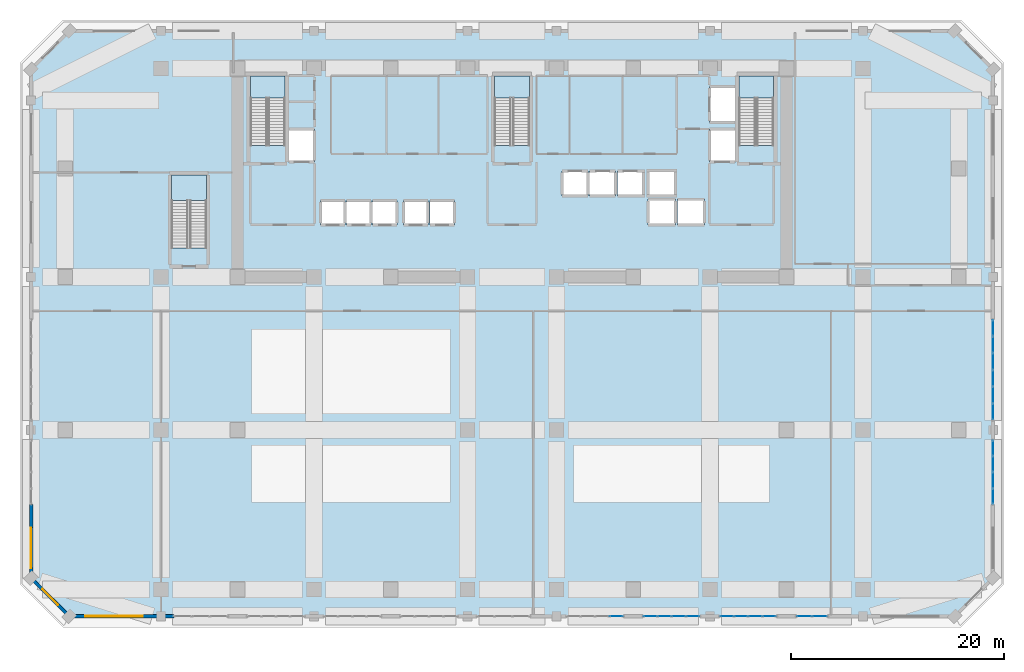
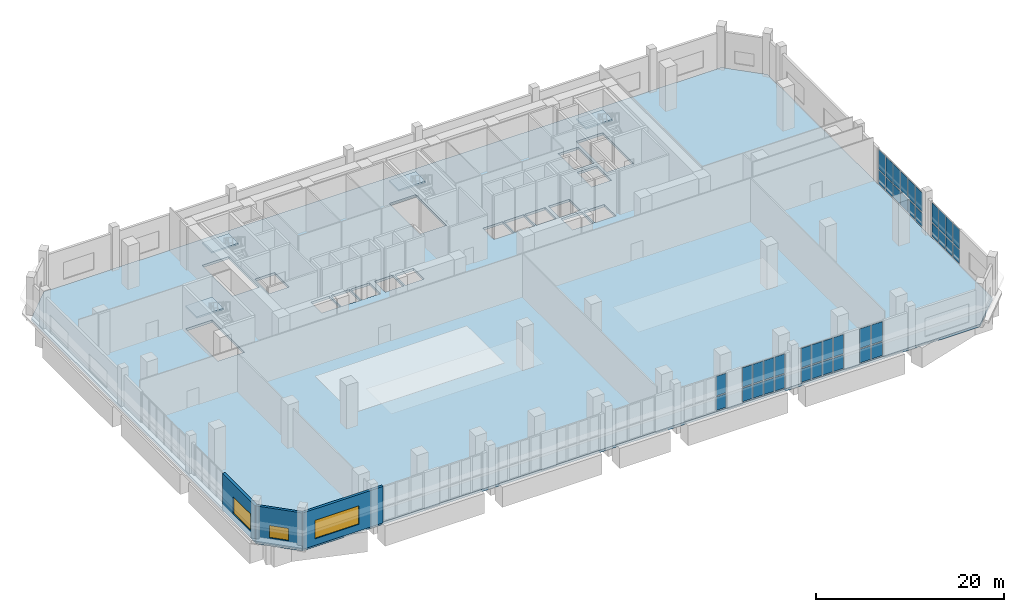
# One storey, part 16 of 25: 42 plates, 5 slabs, 3 walls, 3 windows, 3 openings, 10 elements without a shape of their own.
"""IFC4 building model written with IfcOpenShell, lengths in metres."""

from ifc_helpers import new_model, si_unit, direction, frame, frame_2d, origin, origin_2d, place, context, subcontext, project, spatial, polyline, rectangle, outline, extrude, material, layer, layer_set, type_object, element, fill, aggregate, save


model = new_model("IFC4")

# Units and contexts
model_context = context("Model", 3, precision=1e-05, world=origin(), true_north=direction((0.0, 1.0)))
body_context = subcontext(model_context, "Body", "Model", "MODEL_VIEW")
ifc_project = project(units=[si_unit("LENGTHUNIT", "METRE"), si_unit("AREAUNIT", "SQUARE_METRE"), si_unit("VOLUMEUNIT", "CUBIC_METRE"), si_unit("PLANEANGLEUNIT", "RADIAN"), si_unit("MASSUNIT", "GRAM", prefix="KILO")], contexts=[model_context])

# Site, building, storey
site_placement = place(None, origin())
site = spatial("IfcSite", under=ifc_project, at=site_placement, CompositionType="ELEMENT")
building_placement = place(site_placement, origin())
building = spatial("IfcBuilding", under=site, at=building_placement, Name="Kaelvorn Grand Hotel", CompositionType="ELEMENT")
storey_placement = place(building_placement, frame((0.0, 0.0, 8.0)))
storey = spatial("IfcBuildingStorey", under=building, at=storey_placement, Name="L01", CompositionType="ELEMENT", Elevation=8.0)

# Curtain wall, plates
ifc_material_1 = material(Name="Anodised Aluminium", Category="aluminium")
ifc_layer_1 = layer(ifc_material_1, 0.239990234375)
ifc_layer_set_1 = layer_set([ifc_layer_1], Name="Anodised Aluminium")
curtain_wall_type = type_object("IfcCurtainWallType", Name="CW-SYS1", PredefinedType="NOTDEFINED", material=ifc_layer_set_1)
curtain_wall_1_placement = place(storey_placement, origin())
curtain_wall_1 = element("IfcCurtainWall", 1, at=curtain_wall_1_placement, inside=storey, type_object=curtain_wall_type, Name="L01 Unitised Curtain Wall CW1 (CW-L01-S-06)", PredefinedType="NOTDEFINED")
ifc_material_2 = material(Name="Laminated Low-E Glass", Category="glass")
ifc_layer_2 = layer(ifc_material_2, 0.035888671875)
ifc_layer_set_2 = layer_set([ifc_layer_2], Name="Laminated Low-E Glass")
plate_type = type_object("IfcPlateType", Name="CW-SYS1-PAN", PredefinedType="CURTAIN_PANEL", material=ifc_layer_set_2)
plate_1_placement = place(storey_placement, frame((51.7900390625, -2.5, 0.1650390625), z_axis=(0.0, 0.0, 1.0), x_axis=(1.0, 0.0, 0.0)))
plate_1 = element("IfcPlate", 2, at=plate_1_placement, type_object=plate_type, Name="CW1 panel 4.1", PredefinedType="CURTAIN_PANEL", context=body_context, shape_type="SweptSolid", body=[
    extrude(rectangle(XDim=1.219970703125, YDim=0.035888671875, at=origin_2d()), origin(), (0.0, 0.0, 1.0), 1.739013671875),
])
plate_2_placement = place(storey_placement, frame((51.7900390625, -2.5, 2.0693359375), z_axis=(0.0, 0.0, 1.0), x_axis=(1.0, 0.0, 0.0)))
plate_2 = element("IfcPlate", 3, at=plate_2_placement, type_object=plate_type, Name="CW1 panel 4.2", PredefinedType="CURTAIN_PANEL", context=body_context, shape_type="SweptSolid", body=[
    extrude(rectangle(XDim=1.219970703125, YDim=0.035888671875, at=origin_2d()), origin(), (0.0, 0.0, 1.0), 2.495849609375),
])
aggregate(curtain_wall_1, [plate_1, plate_2])

curtain_wall_2_placement = place(storey_placement, origin())
curtain_wall_2 = element("IfcCurtainWall", 4, at=curtain_wall_2_placement, inside=storey, type_object=curtain_wall_type, Name="L01 Unitised Curtain Wall CW1 (CW-L01-S-07)", PredefinedType="NOTDEFINED")
plate_3_placement = place(storey_placement, frame((55.010009765625, -2.5, 0.1650390625), z_axis=(0.0, 0.0, 1.0), x_axis=(1.0, 0.0, 0.0)))
plate_3 = element("IfcPlate", 5, at=plate_3_placement, type_object=plate_type, Name="CW1 panel 1.1", PredefinedType="CURTAIN_PANEL", context=body_context, shape_type="SweptSolid", body=[
    extrude(rectangle(XDim=1.219970703125, YDim=0.035888671875, at=origin_2d()), origin(), (0.0, 0.0, 1.0), 1.739013671875),
])
plate_4_placement = place(storey_placement, frame((55.010009765625, -2.5, 2.0693359375), z_axis=(0.0, 0.0, 1.0), x_axis=(1.0, 0.0, 0.0)))
plate_4 = element("IfcPlate", 6, at=plate_4_placement, type_object=plate_type, Name="CW1 panel 1.2", PredefinedType="CURTAIN_PANEL", context=body_context, shape_type="SweptSolid", body=[
    extrude(rectangle(XDim=1.219970703125, YDim=0.035888671875, at=origin_2d()), origin(), (0.0, 0.0, 1.0), 2.495849609375),
])
plate_5_placement = place(storey_placement, frame((56.330078125, -2.5, 0.1650390625), z_axis=(0.0, 0.0, 1.0), x_axis=(1.0, 0.0, 0.0)))
plate_5 = element("IfcPlate", 7, at=plate_5_placement, type_object=plate_type, Name="CW1 panel 2.1", PredefinedType="CURTAIN_PANEL", context=body_context, shape_type="SweptSolid", body=[
    extrude(rectangle(XDim=1.260009765625, YDim=0.035888671875, at=origin_2d()), origin(), (0.0, 0.0, 1.0), 1.739013671875),
])
plate_6_placement = place(storey_placement, frame((56.330078125, -2.5, 2.0693359375), z_axis=(0.0, 0.0, 1.0), x_axis=(1.0, 0.0, 0.0)))
plate_6 = element("IfcPlate", 8, at=plate_6_placement, type_object=plate_type, Name="CW1 panel 2.2", PredefinedType="CURTAIN_PANEL", context=body_context, shape_type="SweptSolid", body=[
    extrude(rectangle(XDim=1.260009765625, YDim=0.035888671875, at=origin_2d()), origin(), (0.0, 0.0, 1.0), 2.495849609375),
])
plate_7_placement = place(storey_placement, frame((57.669921875, -2.5, 0.1650390625), z_axis=(0.0, 0.0, 1.0), x_axis=(1.0, 0.0, 0.0)))
plate_7 = element("IfcPlate", 9, at=plate_7_placement, type_object=plate_type, Name="CW1 panel 3.1", PredefinedType="CURTAIN_PANEL", context=body_context, shape_type="SweptSolid", body=[
    extrude(rectangle(XDim=1.260009765625, YDim=0.035888671875, at=origin_2d()), origin(), (0.0, 0.0, 1.0), 1.739013671875),
])
plate_8_placement = place(storey_placement, frame((57.669921875, -2.5, 2.0693359375), z_axis=(0.0, 0.0, 1.0), x_axis=(1.0, 0.0, 0.0)))
plate_8 = element("IfcPlate", 10, at=plate_8_placement, type_object=plate_type, Name="CW1 panel 3.2", PredefinedType="CURTAIN_PANEL", context=body_context, shape_type="SweptSolid", body=[
    extrude(rectangle(XDim=1.260009765625, YDim=0.035888671875, at=origin_2d()), origin(), (0.0, 0.0, 1.0), 2.495849609375),
])
plate_9_placement = place(storey_placement, frame((58.989990234375, -2.5, 0.1650390625), z_axis=(0.0, 0.0, 1.0), x_axis=(1.0, 0.0, 0.0)))
plate_9 = element("IfcPlate", 11, at=plate_9_placement, type_object=plate_type, Name="CW1 panel 4.1", PredefinedType="CURTAIN_PANEL", context=body_context, shape_type="SweptSolid", body=[
    extrude(rectangle(XDim=1.219970703125, YDim=0.035888671875, at=origin_2d()), origin(), (0.0, 0.0, 1.0), 1.739013671875),
])
plate_10_placement = place(storey_placement, frame((58.989990234375, -2.5, 2.0693359375), z_axis=(0.0, 0.0, 1.0), x_axis=(1.0, 0.0, 0.0)))
plate_10 = element("IfcPlate", 12, at=plate_10_placement, type_object=plate_type, Name="CW1 panel 4.2", PredefinedType="CURTAIN_PANEL", context=body_context, shape_type="SweptSolid", body=[
    extrude(rectangle(XDim=1.219970703125, YDim=0.035888671875, at=origin_2d()), origin(), (0.0, 0.0, 1.0), 2.495849609375),
])
aggregate(curtain_wall_2, [plate_3, plate_4, plate_5, plate_6, plate_7, plate_8, plate_9, plate_10])

curtain_wall_3_placement = place(storey_placement, origin())
curtain_wall_3 = element("IfcCurtainWall", 13, at=curtain_wall_3_placement, inside=storey, type_object=curtain_wall_type, Name="L01 Unitised Curtain Wall CW1 (CW-L01-S-08)", PredefinedType="NOTDEFINED")
plate_11_placement = place(storey_placement, frame((62.2099609375, -2.5, 0.1650390625), z_axis=(0.0, 0.0, 1.0), x_axis=(1.0, 0.0, 0.0)))
plate_11 = element("IfcPlate", 14, at=plate_11_placement, type_object=plate_type, Name="CW1 panel 1.1", PredefinedType="CURTAIN_PANEL", context=body_context, shape_type="SweptSolid", body=[
    extrude(rectangle(XDim=1.219970703125, YDim=0.035888671875, at=origin_2d()), origin(), (0.0, 0.0, 1.0), 1.739013671875),
])
plate_12_placement = place(storey_placement, frame((62.2099609375, -2.5, 2.0693359375), z_axis=(0.0, 0.0, 1.0), x_axis=(1.0, 0.0, 0.0)))
plate_12 = element("IfcPlate", 15, at=plate_12_placement, type_object=plate_type, Name="CW1 panel 1.2", PredefinedType="CURTAIN_PANEL", context=body_context, shape_type="SweptSolid", body=[
    extrude(rectangle(XDim=1.219970703125, YDim=0.035888671875, at=origin_2d()), origin(), (0.0, 0.0, 1.0), 2.495849609375),
])
plate_13_placement = place(storey_placement, frame((63.530029296875, -2.5, 0.1650390625), z_axis=(0.0, 0.0, 1.0), x_axis=(1.0, 0.0, 0.0)))
plate_13 = element("IfcPlate", 16, at=plate_13_placement, type_object=plate_type, Name="CW1 panel 2.1", PredefinedType="CURTAIN_PANEL", context=body_context, shape_type="SweptSolid", body=[
    extrude(rectangle(XDim=1.260009765625, YDim=0.035888671875, at=origin_2d()), origin(), (0.0, 0.0, 1.0), 1.739013671875),
])
plate_14_placement = place(storey_placement, frame((63.530029296875, -2.5, 2.0693359375), z_axis=(0.0, 0.0, 1.0), x_axis=(1.0, 0.0, 0.0)))
plate_14 = element("IfcPlate", 17, at=plate_14_placement, type_object=plate_type, Name="CW1 panel 2.2", PredefinedType="CURTAIN_PANEL", context=body_context, shape_type="SweptSolid", body=[
    extrude(rectangle(XDim=1.260009765625, YDim=0.035888671875, at=origin_2d()), origin(), (0.0, 0.0, 1.0), 2.495849609375),
])
plate_15_placement = place(storey_placement, frame((64.8701171875, -2.5, 0.1650390625), z_axis=(0.0, 0.0, 1.0), x_axis=(1.0, 0.0, 0.0)))
plate_15 = element("IfcPlate", 18, at=plate_15_placement, type_object=plate_type, Name="CW1 panel 3.1", PredefinedType="CURTAIN_PANEL", context=body_context, shape_type="SweptSolid", body=[
    extrude(rectangle(XDim=1.260009765625, YDim=0.035888671875, at=origin_2d()), origin(), (0.0, 0.0, 1.0), 1.739013671875),
])
plate_16_placement = place(storey_placement, frame((64.8701171875, -2.5, 2.0693359375), z_axis=(0.0, 0.0, 1.0), x_axis=(1.0, 0.0, 0.0)))
plate_16 = element("IfcPlate", 19, at=plate_16_placement, type_object=plate_type, Name="CW1 panel 3.2", PredefinedType="CURTAIN_PANEL", context=body_context, shape_type="SweptSolid", body=[
    extrude(rectangle(XDim=1.260009765625, YDim=0.035888671875, at=origin_2d()), origin(), (0.0, 0.0, 1.0), 2.495849609375),
])
plate_17_placement = place(storey_placement, frame((66.18994140625, -2.5, 0.1650390625), z_axis=(0.0, 0.0, 1.0), x_axis=(1.0, 0.0, 0.0)))
plate_17 = element("IfcPlate", 20, at=plate_17_placement, type_object=plate_type, Name="CW1 panel 4.1", PredefinedType="CURTAIN_PANEL", context=body_context, shape_type="SweptSolid", body=[
    extrude(rectangle(XDim=1.219970703125, YDim=0.035888671875, at=origin_2d()), origin(), (0.0, 0.0, 1.0), 1.739013671875),
])
plate_18_placement = place(storey_placement, frame((66.18994140625, -2.5, 2.0693359375), z_axis=(0.0, 0.0, 1.0), x_axis=(1.0, 0.0, 0.0)))
plate_18 = element("IfcPlate", 21, at=plate_18_placement, type_object=plate_type, Name="CW1 panel 4.2", PredefinedType="CURTAIN_PANEL", context=body_context, shape_type="SweptSolid", body=[
    extrude(rectangle(XDim=1.219970703125, YDim=0.035888671875, at=origin_2d()), origin(), (0.0, 0.0, 1.0), 2.495849609375),
])
aggregate(curtain_wall_3, [plate_11, plate_12, plate_13, plate_14, plate_15, plate_16, plate_17, plate_18])

curtain_wall_4_placement = place(storey_placement, origin())
curtain_wall_4 = element("IfcCurtainWall", 22, at=curtain_wall_4_placement, inside=storey, type_object=curtain_wall_type, Name="L01 Unitised Curtain Wall CW1 (CW-L01-S-09)", PredefinedType="NOTDEFINED")
plate_19_placement = place(storey_placement, frame((69.47998046875, -2.5, 0.1650390625), z_axis=(0.0, 0.0, 1.0), x_axis=(1.0, 0.0, 0.0)))
plate_19 = element("IfcPlate", 23, at=plate_19_placement, type_object=plate_type, Name="CW1 panel 1.1", PredefinedType="CURTAIN_PANEL", context=body_context, shape_type="SweptSolid", body=[
    extrude(rectangle(XDim=1.360107421875, YDim=0.035888671875, at=origin_2d()), origin(), (0.0, 0.0, 1.0), 1.739013671875),
])
plate_20_placement = place(storey_placement, frame((69.47998046875, -2.5, 2.0693359375), z_axis=(0.0, 0.0, 1.0), x_axis=(1.0, 0.0, 0.0)))
plate_20 = element("IfcPlate", 24, at=plate_20_placement, type_object=plate_type, Name="CW1 panel 1.2", PredefinedType="CURTAIN_PANEL", context=body_context, shape_type="SweptSolid", body=[
    extrude(rectangle(XDim=1.360107421875, YDim=0.035888671875, at=origin_2d()), origin(), (0.0, 0.0, 1.0), 2.495849609375),
])
plate_21_placement = place(storey_placement, frame((70.919921875, -2.5, 0.1650390625), z_axis=(0.0, 0.0, 1.0), x_axis=(1.0, 0.0, 0.0)))
plate_21 = element("IfcPlate", 25, at=plate_21_placement, type_object=plate_type, Name="CW1 panel 2.1", PredefinedType="CURTAIN_PANEL", context=body_context, shape_type="SweptSolid", body=[
    extrude(rectangle(XDim=1.360107421875, YDim=0.035888671875, at=origin_2d()), origin(), (0.0, 0.0, 1.0), 1.739013671875),
])
plate_22_placement = place(storey_placement, frame((70.919921875, -2.5, 2.0693359375), z_axis=(0.0, 0.0, 1.0), x_axis=(1.0, 0.0, 0.0)))
plate_22 = element("IfcPlate", 26, at=plate_22_placement, type_object=plate_type, Name="CW1 panel 2.2", PredefinedType="CURTAIN_PANEL", context=body_context, shape_type="SweptSolid", body=[
    extrude(rectangle(XDim=1.360107421875, YDim=0.035888671875, at=origin_2d()), origin(), (0.0, 0.0, 1.0), 2.495849609375),
])
aggregate(curtain_wall_4, [plate_19, plate_20, plate_21, plate_22])

curtain_wall_5_placement = place(storey_placement, origin())
curtain_wall_5 = element("IfcCurtainWall", 27, at=curtain_wall_5_placement, inside=storey, type_object=curtain_wall_type, Name="L01 Unitised Curtain Wall CW1 (CW-L01-E-01)", PredefinedType="NOTDEFINED")
plate_23_placement = place(storey_placement, frame((87.199951171875, 8.780029296875, 0.1650390625), z_axis=(0.0, 0.0, 1.0), x_axis=(0.0, 1.0, 0.0)))
plate_23 = element("IfcPlate", 28, at=plate_23_placement, type_object=plate_type, Name="CW1 panel 1.1", PredefinedType="CURTAIN_PANEL", context=body_context, shape_type="SweptSolid", body=[
    extrude(rectangle(XDim=1.39990234375, YDim=0.035888671875, at=origin_2d()), origin(), (0.0, 0.0, 1.0), 1.739013671875),
])
plate_24_placement = place(storey_placement, frame((87.199951171875, 8.780029296875, 2.0693359375), z_axis=(0.0, 0.0, 1.0), x_axis=(0.0, 1.0, 0.0)))
plate_24 = element("IfcPlate", 29, at=plate_24_placement, type_object=plate_type, Name="CW1 panel 1.2", PredefinedType="CURTAIN_PANEL", context=body_context, shape_type="SweptSolid", body=[
    extrude(rectangle(XDim=1.39990234375, YDim=0.035888671875, at=origin_2d()), origin(), (0.0, 0.0, 1.0), 2.495849609375),
])
plate_25_placement = place(storey_placement, frame((87.199951171875, 10.280029296875, 0.1650390625), z_axis=(0.0, 0.0, 1.0), x_axis=(0.0, 1.0, 0.0)))
plate_25 = element("IfcPlate", 30, at=plate_25_placement, type_object=plate_type, Name="CW1 panel 2.1", PredefinedType="CURTAIN_PANEL", context=body_context, shape_type="SweptSolid", body=[
    extrude(rectangle(XDim=1.43994140625, YDim=0.035888671875, at=origin_2d()), origin(), (0.0, 0.0, 1.0), 1.739013671875),
])
plate_26_placement = place(storey_placement, frame((87.199951171875, 10.280029296875, 2.0693359375), z_axis=(0.0, 0.0, 1.0), x_axis=(0.0, 1.0, 0.0)))
plate_26 = element("IfcPlate", 31, at=plate_26_placement, type_object=plate_type, Name="CW1 panel 2.2", PredefinedType="CURTAIN_PANEL", context=body_context, shape_type="SweptSolid", body=[
    extrude(rectangle(XDim=1.43994140625, YDim=0.035888671875, at=origin_2d()), origin(), (0.0, 0.0, 1.0), 2.495849609375),
])
plate_27_placement = place(storey_placement, frame((87.199951171875, 11.800048828125, 0.1650390625), z_axis=(0.0, 0.0, 1.0), x_axis=(0.0, 1.0, 0.0)))
plate_27 = element("IfcPlate", 32, at=plate_27_placement, type_object=plate_type, Name="CW1 panel 3.1", PredefinedType="CURTAIN_PANEL", context=body_context, shape_type="SweptSolid", body=[
    extrude(rectangle(XDim=1.43994140625, YDim=0.035888671875, at=origin_2d()), origin(), (0.0, 0.0, 1.0), 1.739013671875),
])
plate_28_placement = place(storey_placement, frame((87.199951171875, 11.800048828125, 2.0693359375), z_axis=(0.0, 0.0, 1.0), x_axis=(0.0, 1.0, 0.0)))
plate_28 = element("IfcPlate", 33, at=plate_28_placement, type_object=plate_type, Name="CW1 panel 3.2", PredefinedType="CURTAIN_PANEL", context=body_context, shape_type="SweptSolid", body=[
    extrude(rectangle(XDim=1.43994140625, YDim=0.035888671875, at=origin_2d()), origin(), (0.0, 0.0, 1.0), 2.495849609375),
])
plate_29_placement = place(storey_placement, frame((87.199951171875, 13.300048828125, 0.1650390625), z_axis=(0.0, 0.0, 1.0), x_axis=(0.0, 1.0, 0.0)))
plate_29 = element("IfcPlate", 34, at=plate_29_placement, type_object=plate_type, Name="CW1 panel 4.1", PredefinedType="CURTAIN_PANEL", context=body_context, shape_type="SweptSolid", body=[
    extrude(rectangle(XDim=1.39990234375, YDim=0.035888671875, at=origin_2d()), origin(), (0.0, 0.0, 1.0), 1.739013671875),
])
plate_30_placement = place(storey_placement, frame((87.199951171875, 13.300048828125, 2.0693359375), z_axis=(0.0, 0.0, 1.0), x_axis=(0.0, 1.0, 0.0)))
plate_30 = element("IfcPlate", 35, at=plate_30_placement, type_object=plate_type, Name="CW1 panel 4.2", PredefinedType="CURTAIN_PANEL", context=body_context, shape_type="SweptSolid", body=[
    extrude(rectangle(XDim=1.39990234375, YDim=0.035888671875, at=origin_2d()), origin(), (0.0, 0.0, 1.0), 2.495849609375),
])
aggregate(curtain_wall_5, [plate_23, plate_24, plate_25, plate_26, plate_27, plate_28, plate_29, plate_30])

curtain_wall_6_placement = place(storey_placement, origin())
curtain_wall_6 = element("IfcCurtainWall", 36, at=curtain_wall_6_placement, inside=storey, type_object=curtain_wall_type, Name="L01 Unitised Curtain Wall CW1 (CW-L01-E-02)", PredefinedType="NOTDEFINED")
plate_31_placement = place(storey_placement, frame((87.199951171875, 16.72998046875, 0.1650390625), z_axis=(0.0, 0.0, 1.0), x_axis=(0.0, 1.0, 0.0)))
plate_31 = element("IfcPlate", 37, at=plate_31_placement, type_object=plate_type, Name="CW1 panel 1.1", PredefinedType="CURTAIN_PANEL", context=body_context, shape_type="SweptSolid", body=[
    extrude(rectangle(XDim=1.4599609375, YDim=0.035888671875, at=origin_2d()), origin(), (0.0, 0.0, 1.0), 1.739013671875),
])
plate_32_placement = place(storey_placement, frame((87.199951171875, 16.72998046875, 2.0693359375), z_axis=(0.0, 0.0, 1.0), x_axis=(0.0, 1.0, 0.0)))
plate_32 = element("IfcPlate", 38, at=plate_32_placement, type_object=plate_type, Name="CW1 panel 1.2", PredefinedType="CURTAIN_PANEL", context=body_context, shape_type="SweptSolid", body=[
    extrude(rectangle(XDim=1.4599609375, YDim=0.035888671875, at=origin_2d()), origin(), (0.0, 0.0, 1.0), 2.495849609375),
])
plate_33_placement = place(storey_placement, frame((87.199951171875, 18.2900390625, 0.1650390625), z_axis=(0.0, 0.0, 1.0), x_axis=(0.0, 1.0, 0.0)))
plate_33 = element("IfcPlate", 39, at=plate_33_placement, type_object=plate_type, Name="CW1 panel 2.1", PredefinedType="CURTAIN_PANEL", context=body_context, shape_type="SweptSolid", body=[
    extrude(rectangle(XDim=1.5, YDim=0.035888671875, at=origin_2d()), origin(), (0.0, 0.0, 1.0), 1.739013671875),
])
plate_34_placement = place(storey_placement, frame((87.199951171875, 18.2900390625, 2.0693359375), z_axis=(0.0, 0.0, 1.0), x_axis=(0.0, 1.0, 0.0)))
plate_34 = element("IfcPlate", 40, at=plate_34_placement, type_object=plate_type, Name="CW1 panel 2.2", PredefinedType="CURTAIN_PANEL", context=body_context, shape_type="SweptSolid", body=[
    extrude(rectangle(XDim=1.5, YDim=0.035888671875, at=origin_2d()), origin(), (0.0, 0.0, 1.0), 2.495849609375),
])
plate_35_placement = place(storey_placement, frame((87.199951171875, 19.8701171875, 0.1650390625), z_axis=(0.0, 0.0, 1.0), x_axis=(0.0, 1.0, 0.0)))
plate_35 = element("IfcPlate", 41, at=plate_35_placement, type_object=plate_type, Name="CW1 panel 3.1", PredefinedType="CURTAIN_PANEL", context=body_context, shape_type="SweptSolid", body=[
    extrude(rectangle(XDim=1.5, YDim=0.035888671875, at=origin_2d()), origin(), (0.0, 0.0, 1.0), 1.739013671875),
])
plate_36_placement = place(storey_placement, frame((87.199951171875, 19.8701171875, 2.0693359375), z_axis=(0.0, 0.0, 1.0), x_axis=(0.0, 1.0, 0.0)))
plate_36 = element("IfcPlate", 42, at=plate_36_placement, type_object=plate_type, Name="CW1 panel 3.2", PredefinedType="CURTAIN_PANEL", context=body_context, shape_type="SweptSolid", body=[
    extrude(rectangle(XDim=1.5, YDim=0.035888671875, at=origin_2d()), origin(), (0.0, 0.0, 1.0), 2.495849609375),
])
plate_37_placement = place(storey_placement, frame((87.199951171875, 21.449951171875, 0.1650390625), z_axis=(0.0, 0.0, 1.0), x_axis=(0.0, 1.0, 0.0)))
plate_37 = element("IfcPlate", 43, at=plate_37_placement, type_object=plate_type, Name="CW1 panel 4.1", PredefinedType="CURTAIN_PANEL", context=body_context, shape_type="SweptSolid", body=[
    extrude(rectangle(XDim=1.5, YDim=0.035888671875, at=origin_2d()), origin(), (0.0, 0.0, 1.0), 1.739013671875),
])
plate_38_placement = place(storey_placement, frame((87.199951171875, 21.449951171875, 2.0693359375), z_axis=(0.0, 0.0, 1.0), x_axis=(0.0, 1.0, 0.0)))
plate_38 = element("IfcPlate", 44, at=plate_38_placement, type_object=plate_type, Name="CW1 panel 4.2", PredefinedType="CURTAIN_PANEL", context=body_context, shape_type="SweptSolid", body=[
    extrude(rectangle(XDim=1.5, YDim=0.035888671875, at=origin_2d()), origin(), (0.0, 0.0, 1.0), 2.495849609375),
])
plate_39_placement = place(storey_placement, frame((87.199951171875, 23.030029296875, 0.1650390625), z_axis=(0.0, 0.0, 1.0), x_axis=(0.0, 1.0, 0.0)))
plate_39 = element("IfcPlate", 45, at=plate_39_placement, type_object=plate_type, Name="CW1 panel 5.1", PredefinedType="CURTAIN_PANEL", context=body_context, shape_type="SweptSolid", body=[
    extrude(rectangle(XDim=1.5, YDim=0.035888671875, at=origin_2d()), origin(), (0.0, 0.0, 1.0), 1.739013671875),
])
plate_40_placement = place(storey_placement, frame((87.199951171875, 23.030029296875, 2.0693359375), z_axis=(0.0, 0.0, 1.0), x_axis=(0.0, 1.0, 0.0)))
plate_40 = element("IfcPlate", 46, at=plate_40_placement, type_object=plate_type, Name="CW1 panel 5.2", PredefinedType="CURTAIN_PANEL", context=body_context, shape_type="SweptSolid", body=[
    extrude(rectangle(XDim=1.5, YDim=0.035888671875, at=origin_2d()), origin(), (0.0, 0.0, 1.0), 2.495849609375),
])
plate_41_placement = place(storey_placement, frame((87.199951171875, 24.590087890625, 0.1650390625), z_axis=(0.0, 0.0, 1.0), x_axis=(0.0, 1.0, 0.0)))
plate_41 = element("IfcPlate", 47, at=plate_41_placement, type_object=plate_type, Name="CW1 panel 6.1", PredefinedType="CURTAIN_PANEL", context=body_context, shape_type="SweptSolid", body=[
    extrude(rectangle(XDim=1.4599609375, YDim=0.035888671875, at=origin_2d()), origin(), (0.0, 0.0, 1.0), 1.739013671875),
])
plate_42_placement = place(storey_placement, frame((87.199951171875, 24.590087890625, 2.0693359375), z_axis=(0.0, 0.0, 1.0), x_axis=(0.0, 1.0, 0.0)))
plate_42 = element("IfcPlate", 48, at=plate_42_placement, type_object=plate_type, Name="CW1 panel 6.2", PredefinedType="CURTAIN_PANEL", context=body_context, shape_type="SweptSolid", body=[
    extrude(rectangle(XDim=1.4599609375, YDim=0.035888671875, at=origin_2d()), origin(), (0.0, 0.0, 1.0), 2.495849609375),
])
aggregate(curtain_wall_6, [plate_31, plate_32, plate_33, plate_34, plate_35, plate_36, plate_37, plate_38, plate_39, plate_40, plate_41, plate_42])

# Slab
ifc_material_3 = material(Name="Concrete C40/50", Category="concrete")
ifc_layer_3 = layer(ifc_material_3, 0.320068359375)
ifc_layer_set_3 = layer_set([ifc_layer_3], Name="Concrete C40/50")
slab_type_1 = type_object("IfcSlabType", Name="SLB-FLR-320-C40", PredefinedType="FLOOR", material=ifc_layer_set_3)
slab_1_placement = place(storey_placement, frame((0.0, 0.0, -0.320068359375)))
element("IfcSlab", 49, at=slab_1_placement, inside=storey, type_object=slab_type_1, Name="L01 Indoor Suspended Floor Slab", PredefinedType="FLOOR", context=body_context, shape_type="SweptSolid", body=[
    extrude(outline(polyline([(0.39990234375, -2.5), (83.60009765625, -2.5), (87.199951171875, 1.10009765625), (87.199951171875, 48.89990234375), (83.60009765625, 52.5), (0.39990234375, 52.5), (-3.199951171875, 48.89990234375), (-3.199951171875, 1.10009765625), (0.39990234375, -2.5)]), holes=[polyline([(17.39990234375, 41.760009765625), (17.39990234375, 48.300048828125), (20.679931640625, 48.300048828125), (20.679931640625, 41.760009765625), (17.39990234375, 41.760009765625)]), polyline([(40.360107421875, 41.760009765625), (40.360107421875, 48.300048828125), (43.639892578125, 48.300048828125), (43.639892578125, 41.760009765625), (40.360107421875, 41.760009765625)]), polyline([(63.320068359375, 41.760009765625), (63.320068359375, 48.300048828125), (66.60009765625, 48.300048828125), (66.60009765625, 41.760009765625), (63.320068359375, 41.760009765625)]), polyline([(10.0, 32.110107421875), (10.0, 39.0), (13.280029296875, 39.0), (13.280029296875, 32.110107421875), (10.0, 32.110107421875)]), polyline([(24.0, 34.300048828125), (24.0, 36.60009765625), (26.300048828125, 36.60009765625), (26.300048828125, 34.300048828125), (24.0, 34.300048828125)]), polyline([(26.449951171875, 34.300048828125), (26.449951171875, 36.60009765625), (28.75, 36.60009765625), (28.75, 34.300048828125), (26.449951171875, 34.300048828125)]), polyline([(28.89990234375, 34.300048828125), (28.89990234375, 36.60009765625), (31.199951171875, 36.60009765625), (31.199951171875, 34.300048828125), (28.89990234375, 34.300048828125)]), polyline([(46.699951171875, 37.0), (46.699951171875, 39.35009765625), (49.14990234375, 39.35009765625), (49.14990234375, 37.0), (46.699951171875, 37.0)]), polyline([(49.300048828125, 37.0), (49.300048828125, 39.35009765625), (51.75, 39.35009765625), (51.75, 37.0), (49.300048828125, 37.0)]), polyline([(51.89990234375, 37.0), (51.89990234375, 39.35009765625), (54.35009765625, 39.35009765625), (54.35009765625, 37.0), (51.89990234375, 37.0)]), polyline([(54.800048828125, 34.300048828125), (54.800048828125, 36.699951171875), (57.35009765625, 36.699951171875), (57.35009765625, 34.300048828125), (54.800048828125, 34.300048828125)]), polyline([(57.550048828125, 34.300048828125), (57.550048828125, 36.699951171875), (60.10009765625, 36.699951171875), (60.10009765625, 34.300048828125), (57.550048828125, 34.300048828125)]), polyline([(54.800048828125, 37.0), (54.800048828125, 39.39990234375), (57.35009765625, 39.39990234375), (57.35009765625, 37.0), (54.800048828125, 37.0)]), polyline([(31.800048828125, 34.300048828125), (31.800048828125, 36.60009765625), (34.10009765625, 36.60009765625), (34.10009765625, 34.300048828125), (31.800048828125, 34.300048828125)]), polyline([(34.300048828125, 34.300048828125), (34.300048828125, 36.60009765625), (36.60009765625, 36.60009765625), (36.60009765625, 34.300048828125), (34.300048828125, 34.300048828125)]), polyline([(21.0, 40.199951171875), (21.0, 43.300048828125), (23.449951171875, 43.300048828125), (23.449951171875, 40.199951171875), (21.0, 40.199951171875)]), polyline([(60.550048828125, 40.199951171875), (60.550048828125, 43.300048828125), (63.0, 43.300048828125), (63.0, 40.199951171875), (60.550048828125, 40.199951171875)]), polyline([(60.550048828125, 43.89990234375), (60.550048828125, 47.300048828125), (63.0, 47.300048828125), (63.0, 43.89990234375), (60.550048828125, 43.89990234375)])]), origin(), (0.0, 0.0, 1.0), 0.320068359375),
])

# Stair, slab
stair_type = type_object("IfcStairType", Name="STR-DOG-1560-R03", PredefinedType="HALF_TURN_STAIR", material=ifc_material_3)
stair_1_placement = place(storey_placement, origin())
stair_1 = element("IfcStair", 50, at=stair_1_placement, inside=storey, type_object=stair_type, Name="L01 West Core Exit Stair ST1", PredefinedType="HALF_TURN_STAIR")
ifc_layer_4 = layer(ifc_material_3, 0.199951171875)
ifc_layer_set_4 = layer_set([ifc_layer_4], Name="Concrete C40/50")
slab_type_2 = type_object("IfcSlabType", Name="SLB-LAND-200-C40", PredefinedType="LANDING", material=ifc_layer_set_4)
slab_2_placement = place(storey_placement, frame((0.0, 0.0, 2.800048828125)))
slab_2 = element("IfcSlab", 51, at=slab_2_placement, type_object=slab_type_2, Name="ST1 landing 1", PredefinedType="LANDING", context=body_context, shape_type="SweptSolid", body=[
    extrude(outline(polyline([(20.679931640625, 46.239990234375), (20.679931640625, 48.300048828125), (17.39990234375, 48.300048828125), (17.39990234375, 46.239990234375), (20.679931640625, 46.239990234375)])), origin(), (0.0, 0.0, 1.0), 0.199951171875),
])
aggregate(stair_1, [slab_2])

stair_2_placement = place(storey_placement, origin())
stair_2 = element("IfcStair", 52, at=stair_2_placement, inside=storey, type_object=stair_type, Name="L01 Central Core Exit Stair ST2", PredefinedType="HALF_TURN_STAIR")
slab_3_placement = place(storey_placement, frame((0.0, 0.0, 2.800048828125)))
slab_3 = element("IfcSlab", 53, at=slab_3_placement, type_object=slab_type_2, Name="ST2 landing 1", PredefinedType="LANDING", context=body_context, shape_type="SweptSolid", body=[
    extrude(outline(polyline([(43.639892578125, 46.239990234375), (43.639892578125, 48.300048828125), (40.360107421875, 48.300048828125), (40.360107421875, 46.239990234375), (43.639892578125, 46.239990234375)])), origin(), (0.0, 0.0, 1.0), 0.199951171875),
])
aggregate(stair_2, [slab_3])

stair_3_placement = place(storey_placement, origin())
stair_3 = element("IfcStair", 54, at=stair_3_placement, inside=storey, type_object=stair_type, Name="L01 East Core Exit Stair ST3", PredefinedType="HALF_TURN_STAIR")
slab_4_placement = place(storey_placement, frame((0.0, 0.0, 2.800048828125)))
slab_4 = element("IfcSlab", 55, at=slab_4_placement, type_object=slab_type_2, Name="ST3 landing 1", PredefinedType="LANDING", context=body_context, shape_type="SweptSolid", body=[
    extrude(outline(polyline([(66.60009765625, 46.239990234375), (66.60009765625, 48.300048828125), (63.320068359375, 48.300048828125), (63.320068359375, 46.239990234375), (66.60009765625, 46.239990234375)])), origin(), (0.0, 0.0, 1.0), 0.199951171875),
])
aggregate(stair_3, [slab_4])

stair_4_placement = place(storey_placement, origin())
stair_4 = element("IfcStair", 56, at=stair_4_placement, inside=storey, type_object=stair_type, Name="L01 Podium Grand Stair ST4", PredefinedType="HALF_TURN_STAIR")
slab_5_placement = place(storey_placement, frame((0.0, 0.0, 2.800048828125)))
slab_5 = element("IfcSlab", 57, at=slab_5_placement, type_object=slab_type_2, Name="ST4 landing 1", PredefinedType="LANDING", context=body_context, shape_type="SweptSolid", body=[
    extrude(outline(polyline([(13.280029296875, 36.590087890625), (13.280029296875, 39.0), (10.0, 39.0), (10.0, 36.590087890625), (13.280029296875, 36.590087890625)])), origin(), (0.0, 0.0, 1.0), 0.199951171875),
])
aggregate(stair_4, [slab_5])

# Wall, opening, window
ifc_layer_5 = layer(ifc_material_3, 0.300048828125)
ifc_layer_set_5 = layer_set([ifc_layer_5], Name="Concrete C40/50")
wall_type = type_object("IfcWallType", Name="WL-EXT-300-C40", PredefinedType="SOLIDWALL", material=ifc_layer_set_5)
wall_1_placement = place(storey_placement, frame((0.39990234375, -2.5, 0.0), z_axis=(0.0, 0.0, 1.0), x_axis=(1.0, 0.0, 0.0)))
wall_1 = element("IfcWall", 58, at=wall_1_placement, inside=storey, type_object=wall_type, Name="L01 Exterior Architectural Concrete Wall 01 Pier 1", PredefinedType="SOLIDWALL", context=body_context, shape_type="SweptSolid", body=[
    extrude(rectangle(XDim=9.80517578125, YDim=0.300048828125, at=frame_2d((4.902587890625, 0.0))), origin(), (0.0, 0.0, 1.0), 4.72998046875),
])
opening_1_placement = place(wall_1_placement, frame((1.47509765625, 0.0, 0.85009765625)))
opening_1 = element("IfcOpeningElement", 59, at=opening_1_placement, cuts=wall_1, Name="Opening W8", PredefinedType="OPENING", context=body_context, shape_type="SweptSolid", body=[
    extrude(rectangle(XDim=5.39990234375, YDim=2.39990234375, at=frame_2d((2.699951171875, 1.199951171875))), frame((0.0, 0.16015625, 0.0), z_axis=(0.0, -1.0, 0.0), x_axis=(1.0, 0.0, 0.0)), (0.0, 0.0, 1.0), 0.320068359375),
])
window_type_1 = type_object("IfcWindowType", Name="WIN-POD-5400x2400", PartitioningType="SINGLE_PANEL", PredefinedType="WINDOW", material=ifc_material_2)
window_1_placement = place(opening_1_placement, origin())
window_1 = element("IfcWindow", 60, at=window_1_placement, inside=storey, type_object=window_type_1, Name="L01 Podium South Ribbon Window 1", OverallHeight=2.39990234375, OverallWidth=5.39990234375, PartitioningType="SINGLE_PANEL", PredefinedType="WINDOW", context=body_context, shape_type="SweptSolid", body=[
    extrude(rectangle(XDim=5.39990234375, YDim=2.39990234375, at=frame_2d((2.699951171875, 1.199951171875))), frame((0.0, 0.030029296875, 0.0), z_axis=(0.0, -1.0, 0.0), x_axis=(1.0, 0.0, 0.0)), (0.0, 0.0, 1.0), 0.06005859375),
])
fill(opening_1, window_1)

wall_2_placement = place(storey_placement, frame((-3.199951171875, 8.0048828125, 0.0), z_axis=(0.0, 0.0, 1.0), x_axis=(0.0, -1.0, 0.0)))
wall_2 = element("IfcWall", 61, at=wall_2_placement, inside=storey, type_object=wall_type, Name="L01 Exterior Architectural Concrete Wall 07 Pier 3", PredefinedType="SOLIDWALL", context=body_context, shape_type="SweptSolid", body=[
    extrude(rectangle(XDim=6.90478515625, YDim=0.300048828125, at=frame_2d((3.452392578125, 0.0))), origin(), (0.0, 0.0, 1.0), 4.72998046875),
])
opening_2_placement = place(wall_2_placement, frame((2.179931640625, 0.0, 0.85009765625)))
opening_2 = element("IfcOpeningElement", 62, at=opening_2_placement, cuts=wall_2, Name="Opening W9", PredefinedType="OPENING", context=body_context, shape_type="SweptSolid", body=[
    extrude(rectangle(XDim=3.800048828125, YDim=2.199951171875, at=frame_2d((1.89990234375, 1.10009765625))), frame((0.0, 0.16015625, 0.0), z_axis=(0.0, -1.0, 0.0), x_axis=(1.0, 0.0, 0.0)), (0.0, 0.0, 1.0), 0.320068359375),
])
window_type_2 = type_object("IfcWindowType", Name="WIN-POD-3800x2200", PartitioningType="SINGLE_PANEL", PredefinedType="WINDOW", material=ifc_material_2)
window_2_placement = place(opening_2_placement, origin())
window_2 = element("IfcWindow", 63, at=window_2_placement, inside=storey, type_object=window_type_2, Name="L01 Podium W Ribbon Window 1", OverallHeight=2.199951171875, OverallWidth=3.800048828125, PartitioningType="SINGLE_PANEL", PredefinedType="WINDOW", context=body_context, shape_type="SweptSolid", body=[
    extrude(rectangle(XDim=3.800048828125, YDim=2.199951171875, at=frame_2d((1.89990234375, 1.10009765625))), frame((0.0, 0.030029296875, 0.0), z_axis=(0.0, -1.0, 0.0), x_axis=(1.0, 0.0, 0.0)), (0.0, 0.0, 1.0), 0.06005859375),
])
fill(opening_2, window_2)

wall_3_placement = place(storey_placement, frame((-3.199951171875, 1.10009765625, 0.0), z_axis=(0.0, 0.0, 1.0), x_axis=(0.707082803744, -0.707130757816, 0.0)))
wall_3 = element("IfcWall", 64, at=wall_3_placement, inside=storey, type_object=wall_type, Name="L01 Exterior Architectural Concrete Wall 08", PredefinedType="SOLIDWALL", context=body_context, shape_type="SweptSolid", body=[
    extrude(rectangle(XDim=5.091064453125, YDim=0.300048828125, at=frame_2d((2.54541015625, 0.0))), origin(), (0.0, 0.0, 1.0), 4.72998046875),
])
opening_3_placement = place(wall_3_placement, frame((1.49560546875, 0.0, 0.85009765625)))
opening_3 = element("IfcOpeningElement", 65, at=opening_3_placement, cuts=wall_3, Name="Opening W7", PredefinedType="OPENING", context=body_context, shape_type="SweptSolid", body=[
    extrude(rectangle(XDim=2.10009765625, YDim=1.60009765625, at=frame_2d((1.050048828125, 0.800048828125))), frame((0.0, 0.16015625, 0.0), z_axis=(0.0, -1.0, 0.0), x_axis=(1.0, 0.0, 0.0)), (0.0, 0.0, 1.0), 0.320068359375),
])
window_type_3 = type_object("IfcWindowType", Name="WIN-CHM-2100x1600", PartitioningType="SINGLE_PANEL", PredefinedType="WINDOW", material=ifc_material_2)
window_3_placement = place(opening_3_placement, origin())
window_3 = element("IfcWindow", 66, at=window_3_placement, inside=storey, type_object=window_type_3, Name="L01 Chamfered 45-Degree Corner Window SW", OverallHeight=1.60009765625, OverallWidth=2.10009765625, PartitioningType="SINGLE_PANEL", PredefinedType="WINDOW", context=body_context, shape_type="SweptSolid", body=[
    extrude(rectangle(XDim=2.10009765625, YDim=1.60009765625, at=frame_2d((1.050048828125, 0.800048828125))), frame((0.0, 0.030029296875, 0.0), z_axis=(0.0, -1.0, 0.0), x_axis=(1.0, 0.0, 0.0)), (0.0, 0.0, 1.0), 0.06005859375),
])
fill(opening_3, window_3)

save(model, "model.ifc")
